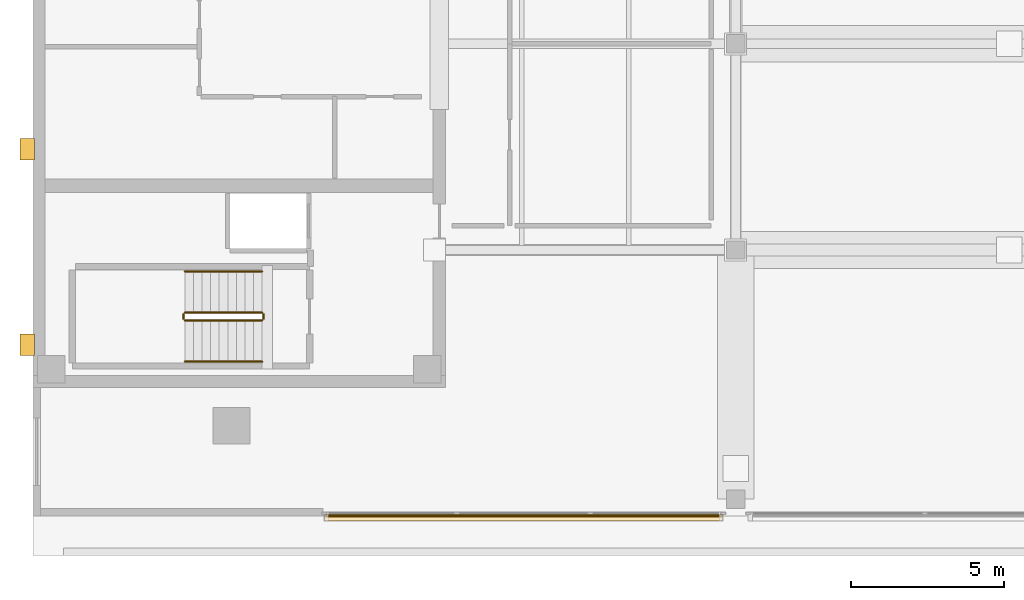
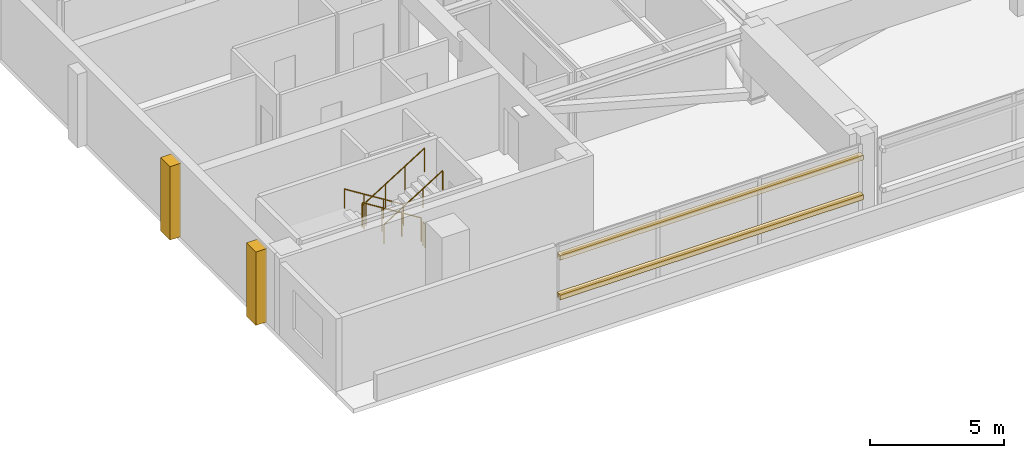
# One storey, part 8 of 11: 6 railings, 4 coverings, 2 shading devices.
"""IFC4 building model written with IfcOpenShell, lengths in metres."""

from ifc_helpers import new_model, si_unit, direction, frame, origin, origin_2d, place, context, subcontext, project, spatial, polyline, rectangle, circle, outline, extrude, material, layer, layer_set, material_profile, profile_set, type_object, element, save


model = new_model("IFC4")

# Units and contexts
model_context = context("Model", 3, precision=1e-05, world=origin(), true_north=direction((0.0, 1.0)))
body_context = subcontext(model_context, "Body", "Model", "MODEL_VIEW")
ifc_project = project(units=[si_unit("LENGTHUNIT", "METRE"), si_unit("AREAUNIT", "SQUARE_METRE"), si_unit("VOLUMEUNIT", "CUBIC_METRE"), si_unit("PLANEANGLEUNIT", "RADIAN"), si_unit("MASSUNIT", "GRAM", prefix="KILO")], contexts=[model_context])

# Site, building, storey
site_placement = place(None, origin())
site = spatial("IfcSite", under=ifc_project, at=site_placement, CompositionType="ELEMENT")
building_placement = place(site_placement, origin())
building = spatial("IfcBuilding", under=site, at=building_placement, Name="Kinhvarn Gate Tower", CompositionType="ELEMENT")
storey_placement = place(building_placement, frame((0.0, 0.0, 307.550048828125)))
storey = spatial("IfcBuildingStorey", under=building, at=storey_placement, Name="L81", CompositionType="ELEMENT", Elevation=307.550048828125)

# Coverings
ifc_material_1 = material(Name="Fired architectural terracotta", Category="masonry")
ifc_layer_1 = layer(ifc_material_1, 0.239990234375)
ifc_layer_set_1 = layer_set([ifc_layer_1], Name="Fired architectural terracotta")
covering_type_1 = type_object("IfcCoveringType", Name="COV-BAG-220", PredefinedType="CLADDING", material=ifc_layer_set_1)
for number, where, name in (
    (1, (0.0, 0.0, 0.93994140625), "Terracotta Horizontal Sunscreen Band TBG-220 (L81)"),
    (2, (0.0, 0.0, 2.739990234375), "Terracotta Horizontal Sunscreen Band TBG-220 (L81)"),
):
    element("IfcCovering", number, at=place(storey_placement, frame(where)), inside=storey, type_object=covering_type_1, Name=name, PredefinedType="CLADDING", context=body_context, shape_type="SweptSolid", body=[
        extrude(outline(polyline([(14.0400390625, 9.8701171875), (27.080078125, 9.8701171875), (27.080078125, 9.6298828125), (14.0400390625, 9.6298828125), (14.0400390625, 9.8701171875)])), origin(), (0.0, 0.0, 1.0), 0.219970703125),
    ])
ifc_material_2 = material(Name="Precast white architectural concrete C40/50", Category="concrete")
ifc_layer_2 = layer(ifc_material_2, 0.47998046875)
ifc_layer_set_2 = layer_set([ifc_layer_2], Name="Precast white architectural concrete C40/50")
covering_type_2 = type_object("IfcCoveringType", Name="COV-RIB-450", PredefinedType="CLADDING", material=ifc_layer_set_2)
covering_1_placement = place(storey_placement, frame((0.0, 0.0, -0.02001953125)))
element("IfcCovering", 3, at=covering_1_placement, inside=storey, type_object=covering_type_2, Name="West Core Sculptural Concrete Relief Rib CRB-450 (L81)", PredefinedType="CLADDING", context=body_context, shape_type="SweptSolid", body=[
    extrude(outline(polyline([(4.080078125, 15.050048828125), (4.56005859375, 15.050048828125), (4.56005859375, 15.75), (4.080078125, 15.75), (4.080078125, 15.050048828125)])), origin(), (0.0, 0.0, 1.0), 3.340087890625),
])
covering_2_placement = place(storey_placement, frame((0.0, 0.0, -0.02001953125)))
element("IfcCovering", 4, at=covering_2_placement, inside=storey, type_object=covering_type_2, Name="West Core Sculptural Concrete Relief Rib CRB-450 (L81)", PredefinedType="CLADDING", context=body_context, shape_type="SweptSolid", body=[
    extrude(outline(polyline([(4.080078125, 21.449951171875), (4.56005859375, 21.449951171875), (4.56005859375, 22.14990234375), (4.080078125, 22.14990234375), (4.080078125, 21.449951171875)])), origin(), (0.0, 0.0, 1.0), 3.340087890625),
])

# Railings
ifc_material_3 = material(Name="Steel S355", Category="steel")
railing_type_1 = type_object("IfcRailingType", Name="RL-ST-GRD", PredefinedType="BALUSTRADE", material=ifc_material_3)
railing_1_placement = place(storey_placement, frame((12.0, 16.449951171875, 0.175048828125)))
element("IfcRailing", 5, at=railing_1_placement, inside=storey, type_object=railing_type_1, Name="L81 ST1 stair guard 1", PredefinedType="BALUSTRADE", context=body_context, shape_type="SweptSolid", body=[
    extrude(circle(Radius=0.02392578125, at=origin_2d()), frame((0.0, 0.0, 1.076171875), z_axis=(-0.848007534815, 0.0, 0.529984170421), x_axis=(0.0, -1.0, 0.0)), (0.0, 0.0, 1.0), 2.9716796875),
    extrude(circle(Radius=0.02099609375, at=origin_2d()), origin(), (0.0, 0.0, 1.0), 1.052001953125),
    extrude(circle(Radius=0.02099609375, at=origin_2d()), frame((-0.840087890625, 0.0, 0.52490234375)), (0.0, 0.0, 1.0), 1.052001953125),
    extrude(circle(Radius=0.02099609375, at=origin_2d()), frame((-1.679931640625, 0.0, 1.050048828125)), (0.0, 0.0, 1.0), 1.052001953125),
    extrude(circle(Radius=0.02099609375, at=origin_2d()), frame((-2.52001953125, 0.0, 1.574951171875)), (0.0, 0.0, 1.0), 1.052001953125),
])
railing_2_placement = place(storey_placement, frame((9.429931640625, 16.39990234375, 1.75)))
element("IfcRailing", 6, at=railing_2_placement, inside=storey, type_object=railing_type_1, Name="L81 ST1 stair guard 2", PredefinedType="BALUSTRADE", context=body_context, shape_type="SweptSolid", body=[
    extrude(circle(Radius=0.02392578125, at=origin_2d()), frame((0.0, 0.0, 1.076171875), z_axis=(0.0, -1.0, 0.0), x_axis=(1.0, 0.0, 0.0)), (0.0, 0.0, 1.0), 0.14990234375),
    extrude(circle(Radius=0.02099609375, at=origin_2d()), origin(), (0.0, 0.0, 1.0), 1.052001953125),
    extrude(circle(Radius=0.02099609375, at=origin_2d()), frame((0.0, -0.14990234375, 0.0)), (0.0, 0.0, 1.0), 1.052001953125),
])
railing_3_placement = place(storey_placement, frame((9.47998046875, 16.199951171875, 1.925048828125)))
element("IfcRailing", 7, at=railing_3_placement, inside=storey, type_object=railing_type_1, Name="L81 ST1 stair guard 3", PredefinedType="BALUSTRADE", context=body_context, shape_type="SweptSolid", body=[
    extrude(circle(Radius=0.02392578125, at=origin_2d()), frame((0.0, 0.0, 1.076171875), z_axis=(0.848007534815, 0.0, 0.529984170421), x_axis=(0.0, 1.0, 0.0)), (0.0, 0.0, 1.0), 2.9716796875),
    extrude(circle(Radius=0.02099609375, at=origin_2d()), origin(), (0.0, 0.0, 1.0), 1.052001953125),
    extrude(circle(Radius=0.02099609375, at=origin_2d()), frame((0.840087890625, 0.0, 0.52490234375)), (0.0, 0.0, 1.0), 1.052001953125),
    extrude(circle(Radius=0.02099609375, at=origin_2d()), frame((1.679931640625, 0.0, 1.050048828125)), (0.0, 0.0, 1.0), 1.052001953125),
    extrude(circle(Radius=0.02099609375, at=origin_2d()), frame((2.52001953125, 0.0, 1.574951171875)), (0.0, 0.0, 1.0), 1.052001953125),
])
railing_4_placement = place(storey_placement, frame((12.050048828125, 16.39990234375, 0.0)))
element("IfcRailing", 8, at=railing_4_placement, inside=storey, type_object=railing_type_1, Name="L81 ST1 stair guard 4", PredefinedType="BALUSTRADE", context=body_context, shape_type="SweptSolid", body=[
    extrude(circle(Radius=0.02392578125, at=origin_2d()), frame((0.0, 0.0, 1.076171875), z_axis=(0.0, -1.0, 0.0), x_axis=(1.0, 0.0, 0.0)), (0.0, 0.0, 1.0), 0.14990234375),
    extrude(circle(Radius=0.02099609375, at=origin_2d()), origin(), (0.0, 0.0, 1.0), 1.052001953125),
    extrude(circle(Radius=0.02099609375, at=origin_2d()), frame((0.0, -0.14990234375, 0.0)), (0.0, 0.0, 1.0), 1.052001953125),
])
railing_type_2 = type_object("IfcRailingType", Name="RL-ST-HND", PredefinedType="HANDRAIL", material=ifc_material_3)
railing_5_placement = place(storey_placement, frame((12.0, 17.800048828125, 0.175048828125)))
element("IfcRailing", 9, at=railing_5_placement, inside=storey, type_object=railing_type_2, Name="L81 ST1 stair handrail 1", PredefinedType="HANDRAIL", context=body_context, shape_type="SweptSolid", body=[
    extrude(circle(Radius=0.02392578125, at=origin_2d()), frame((0.0, 0.0, 0.8759765625), z_axis=(-0.848007534815, 0.0, 0.529984170421), x_axis=(0.0, -1.0, 0.0)), (0.0, 0.0, 1.0), 2.9716796875),
    extrude(circle(Radius=0.02099609375, at=origin_2d()), origin(), (0.0, 0.0, 1.0), 0.851806640625),
    extrude(circle(Radius=0.02099609375, at=origin_2d()), frame((-0.840087890625, 0.0, 0.52490234375)), (0.0, 0.0, 1.0), 0.851806640625),
    extrude(circle(Radius=0.02099609375, at=origin_2d()), frame((-1.679931640625, 0.0, 1.050048828125)), (0.0, 0.0, 1.0), 0.851806640625),
    extrude(circle(Radius=0.02099609375, at=origin_2d()), frame((-2.52001953125, 0.0, 1.574951171875)), (0.0, 0.0, 1.0), 0.851806640625),
])
railing_6_placement = place(storey_placement, frame((9.47998046875, 14.85009765625, 1.925048828125)))
element("IfcRailing", 10, at=railing_6_placement, inside=storey, type_object=railing_type_2, Name="L81 ST1 stair handrail 2", PredefinedType="HANDRAIL", context=body_context, shape_type="SweptSolid", body=[
    extrude(circle(Radius=0.02392578125, at=origin_2d()), frame((0.0, 0.0, 0.8759765625), z_axis=(0.848007534815, 0.0, 0.529984170421), x_axis=(0.0, 1.0, 0.0)), (0.0, 0.0, 1.0), 2.9716796875),
    extrude(circle(Radius=0.02099609375, at=origin_2d()), origin(), (0.0, 0.0, 1.0), 0.851806640625),
    extrude(circle(Radius=0.02099609375, at=origin_2d()), frame((0.840087890625, 0.0, 0.52490234375)), (0.0, 0.0, 1.0), 0.851806640625),
    extrude(circle(Radius=0.02099609375, at=origin_2d()), frame((1.679931640625, 0.0, 1.050048828125)), (0.0, 0.0, 1.0), 0.851806640625),
    extrude(circle(Radius=0.02099609375, at=origin_2d()), frame((2.52001953125, 0.0, 1.574951171875)), (0.0, 0.0, 1.0), 0.851806640625),
])

# Shading devices
ifc_material_profile = material_profile(ifc_material_1, rectangle(XDim=0.050048828125, YDim=0.1201171875, at=origin_2d()), Name="TC 50x120")
ifc_profile_set = profile_set([ifc_material_profile], Name="Fired architectural terracotta")
shading_device_type = type_object("IfcShadingDeviceType", Name="SHD-BAG-140", PredefinedType="USERDEFINED", material=ifc_profile_set)
for number, where, z_axis, x_axis, name in (
    (11, (14.0400390625, 9.800048828125, 1.050048828125), (1.0, 0.0, 0.0), (0.0, 1.0, 0.0), "Upper Tower Terracotta Baguette Screen Rod 50x120 mm (L81)"),
    (12, (14.0400390625, 9.800048828125, 2.849853515625), (1.0, 0.0, 0.0), (0.0, 1.0, 0.0), "Upper Tower Terracotta Baguette Screen Rod 50x120 mm (L81)"),
):
    element("IfcShadingDevice", number, at=place(storey_placement, frame(where, z_axis=z_axis, x_axis=x_axis)), inside=storey, type_object=shading_device_type, Name=name, ObjectType="BAGUETTE", PredefinedType="USERDEFINED", context=body_context, shape_type="SweptSolid", body=[
        extrude(rectangle(XDim=0.050048828125, YDim=0.1201171875, at=origin_2d()), origin(), (0.0, 0.0, 1.0), 13.0400390625),
    ])

save(model, "model.ifc")
